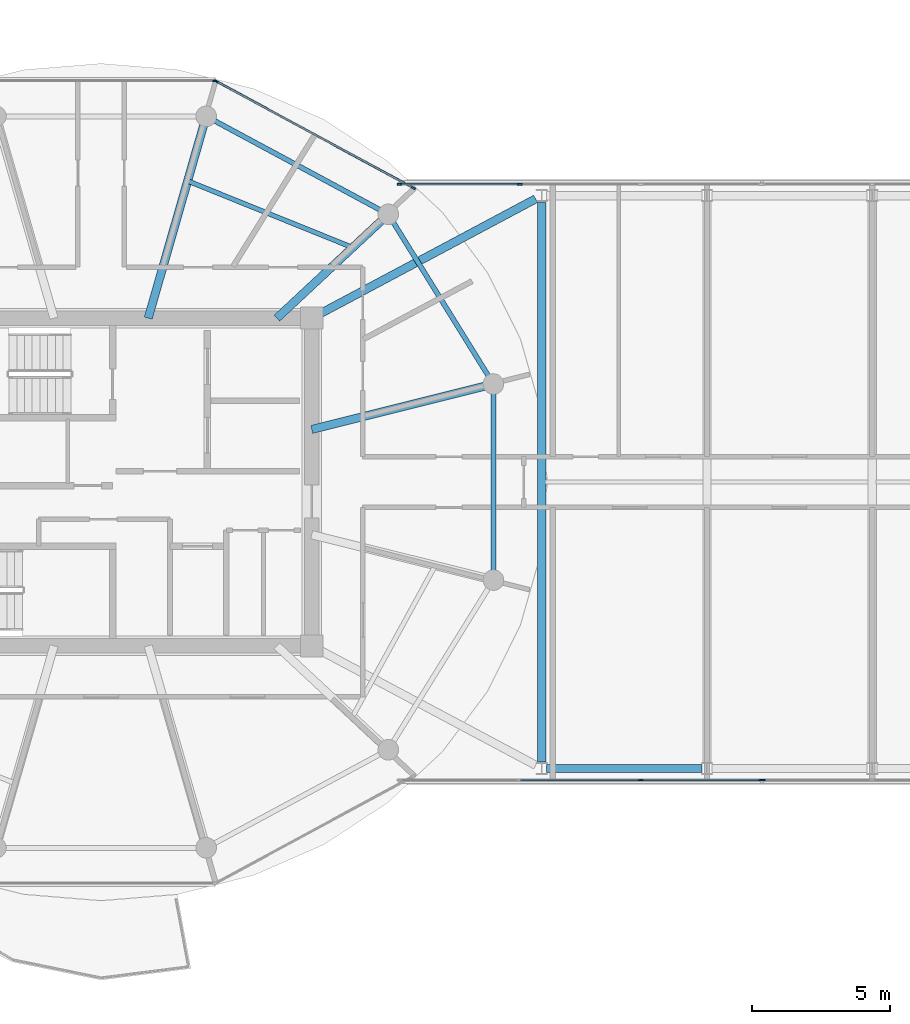
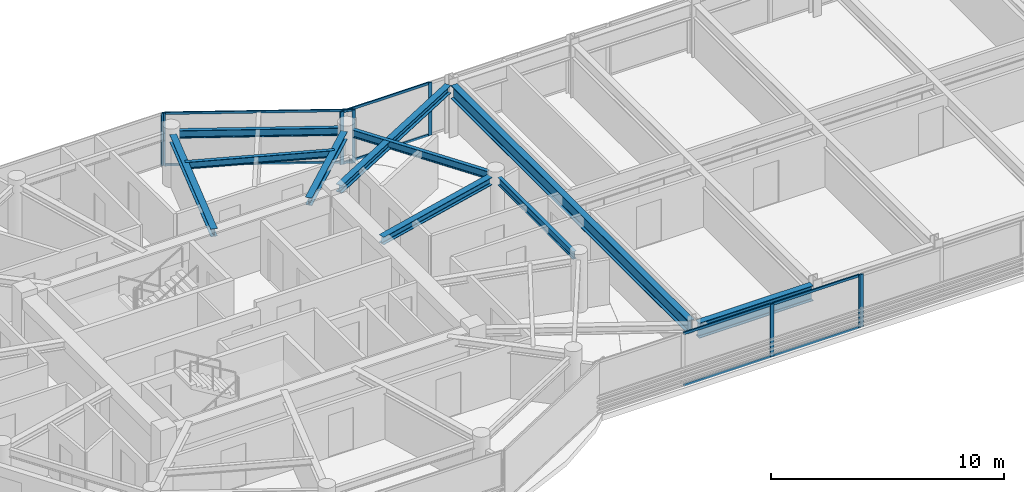
# One storey, part 5 of 23: 16 members, 10 beams, 5 elements without a shape of their own.
"""IFC4 building model written with IfcOpenShell, lengths in metres."""

from ifc_helpers import new_model, si_unit, direction, frame, origin, origin_2d, place, context, subcontext, project, spatial, rectangle, i_section, extrude, source, transform, mapped, material, layer, layer_set, material_profile, profile_set, type_object, type_shapes, element, aggregate, save


model = new_model("IFC4")

# Units and contexts
model_context = context("Model", 3, precision=1e-05, world=origin(), true_north=direction((0.0, 1.0)))
body_context = subcontext(model_context, "Body", "Model", "MODEL_VIEW")
ifc_project = project(units=[si_unit("LENGTHUNIT", "METRE"), si_unit("AREAUNIT", "SQUARE_METRE"), si_unit("VOLUMEUNIT", "CUBIC_METRE"), si_unit("PLANEANGLEUNIT", "RADIAN"), si_unit("MASSUNIT", "GRAM", prefix="KILO")], contexts=[model_context])

# Site, building, storey
site_placement = place(None, origin())
site = spatial("IfcSite", under=ifc_project, at=site_placement, CompositionType="ELEMENT")
building_placement = place(site_placement, origin())
building = spatial("IfcBuilding", under=site, at=building_placement, Name="Norrkilde Senior Care Towers", CompositionType="ELEMENT")
storey_placement = place(building_placement, frame((0.0, 0.0, 220.0)))
storey = spatial("IfcBuildingStorey", under=building, at=storey_placement, Name="L68", CompositionType="ELEMENT", Elevation=220.0)

# Beams
ifc_material_1 = material(Name="Steel S355", Category="steel")
ifc_material_profile_1 = material_profile(ifc_material_1, i_section(OverallWidth=0.179931640625, OverallDepth=0.39990234375, WebThickness=0.008544921875, FlangeThickness=0.013427734375, FilletRadius=0.02099609375, at=origin_2d()), Name="IPE 400")
ifc_profile_set_1 = profile_set([ifc_material_profile_1], Name="Steel S355")
beam_type_1 = type_object("IfcBeamType", Name="Perimeter Ring Spandrel Z4 IPE400", PredefinedType="SPANDREL", material=ifc_profile_set_1)
shared_shape_1 = source(origin(), body_context, "Body", "SweptSolid", [
    extrude(i_section(OverallWidth=0.179931640625, OverallDepth=0.39990234375, WebThickness=0.008544921875, FlangeThickness=0.013427734375, FilletRadius=0.02099609375, at=origin_2d()), origin(), (0.0, 0.0, 1.0), 6.58056640625),
])
beam_1_placement = place(storey_placement, frame((-13.928955078125, 3.843505859375, 2.56005859375), z_axis=(-0.526529583789, 0.850156807533, 0.0), x_axis=(-0.850156807533, -0.526529583789, 0.0)))
element("IfcBeam", 1, at=beam_1_placement, inside=storey, type_object=beam_type_1, Name="L68 Drum W Perimeter Spandrel 01", PredefinedType="SPANDREL", context=body_context, shape_type="MappedRepresentation", body=[
    mapped(shared_shape_1, transform((0.0, 0.0, 0.0), x_axis=(1.0, 0.0, 0.0), y_axis=(0.0, 1.0, 0.0), z_axis=(0.0, 0.0, 1.0), scale=1.0)),
])
ifc_material_profile_2 = material_profile(ifc_material_1, i_section(OverallWidth=0.300048828125, OverallDepth=0.39990234375, WebThickness=0.013427734375, FlangeThickness=0.02392578125, FilletRadius=0.027099609375, at=origin_2d()), Name="HEB 400")
ifc_profile_set_2 = profile_set([ifc_material_profile_2], Name="Steel S355")
beam_type_2 = type_object("IfcBeamType", Name="Radial Floor Beam Z4 HEB400", PredefinedType="BEAM", material=ifc_profile_set_2)
shared_shape_2 = source(origin(), body_context, "Body", "SweptSolid", [
    extrude(i_section(OverallWidth=0.300048828125, OverallDepth=0.39990234375, WebThickness=0.013427734375, FlangeThickness=0.02392578125, FilletRadius=0.027099609375, at=origin_2d()), origin(), (0.0, 0.0, 1.0), 6.465087890625),
])
beam_2_placement = place(storey_placement, frame((-20.35009765625, 1.910888671875, 2.56005859375), z_axis=(0.970195788563, 0.242322371758, 0.0), x_axis=(-0.242322371758, 0.970195788563, 0.0)))
element("IfcBeam", 2, at=beam_2_placement, inside=storey, type_object=beam_type_2, Name="L68 Drum W Radial Floor Beam 01", PredefinedType="BEAM", context=body_context, shape_type="MappedRepresentation", body=[
    mapped(shared_shape_2, transform((0.0, 0.0, 0.0), x_axis=(1.0, 0.0, 0.0), y_axis=(0.0, 1.0, 0.0), z_axis=(0.0, 0.0, 1.0), scale=1.0)),
])
shared_shape_3 = source(origin(), body_context, "Body", "SweptSolid", [
    extrude(i_section(OverallWidth=0.179931640625, OverallDepth=0.39990234375, WebThickness=0.008544921875, FlangeThickness=0.013427734375, FilletRadius=0.02099609375, at=origin_2d()), origin(), (0.0, 0.0, 1.0), 6.839111328125),
])
beam_3_placement = place(storey_placement, frame((-17.865234375, 9.881591796875, 2.56005859375), z_axis=(-0.880563930732, 0.473927382511, 0.0), x_axis=(-0.473927382511, -0.880563930732, 0.0)))
element("IfcBeam", 3, at=beam_3_placement, inside=storey, type_object=beam_type_1, Name="L68 Drum W Perimeter Spandrel 02", PredefinedType="SPANDREL", context=body_context, shape_type="MappedRepresentation", body=[
    mapped(shared_shape_3, transform((0.0, 0.0, 0.0), x_axis=(1.0, 0.0, 0.0), y_axis=(0.0, 1.0, 0.0), z_axis=(0.0, 0.0, 1.0), scale=1.0)),
])
shared_shape_4 = source(origin(), body_context, "Body", "SweptSolid", [
    extrude(i_section(OverallWidth=0.300048828125, OverallDepth=0.39990234375, WebThickness=0.013427734375, FlangeThickness=0.02392578125, FilletRadius=0.027099609375, at=origin_2d()), origin(), (0.0, 0.0, 1.0), 5.197998046875),
])
beam_4_placement = place(storey_placement, frame((-21.6171875, 5.949951171875, 2.56005859375), z_axis=(0.731448749334, 0.681896419625, 0.0), x_axis=(-0.681896419625, 0.731448749334, 0.0)))
element("IfcBeam", 4, at=beam_4_placement, inside=storey, type_object=beam_type_2, Name="L68 Drum W Radial Floor Beam 02", PredefinedType="BEAM", context=body_context, shape_type="MappedRepresentation", body=[
    mapped(shared_shape_4, transform((0.0, 0.0, 0.0), x_axis=(1.0, 0.0, 0.0), y_axis=(0.0, 1.0, 0.0), z_axis=(0.0, 0.0, 1.0), scale=1.0)),
])
shared_shape_5 = source(origin(), body_context, "Body", "SweptSolid", [
    extrude(i_section(OverallWidth=0.300048828125, OverallDepth=0.39990234375, WebThickness=0.013427734375, FlangeThickness=0.02392578125, FilletRadius=0.027099609375, at=origin_2d()), origin(), (0.0, 0.0, 1.0), 7.29345703125),
])
beam_5_placement = place(storey_placement, frame((-26.289794921875, 5.949951171875, 2.56005859375), z_axis=(0.276263751906, 0.961081858836, 0.0), x_axis=(-0.961081858836, 0.276263751906, 0.0)))
element("IfcBeam", 5, at=beam_5_placement, inside=storey, type_object=beam_type_2, Name="L68 Drum W Radial Floor Beam 03", PredefinedType="BEAM", context=body_context, shape_type="MappedRepresentation", body=[
    mapped(shared_shape_5, transform((0.0, 0.0, 0.0), x_axis=(1.0, 0.0, 0.0), y_axis=(0.0, 1.0, 0.0), z_axis=(0.0, 0.0, 1.0), scale=1.0)),
])
shared_shape_6 = source(origin(), body_context, "Body", "SweptSolid", [
    extrude(i_section(OverallWidth=0.179931640625, OverallDepth=0.39990234375, WebThickness=0.008544921875, FlangeThickness=0.013427734375, FilletRadius=0.02099609375, at=origin_2d()), origin(), (0.0, 0.0, 1.0), 6.44775390625),
])
type_shapes(beam_type_1, [shared_shape_1, shared_shape_3, shared_shape_6])
beam_6_placement = place(storey_placement, frame((-13.752685546875, -3.223876953125, 2.56005859375), z_axis=(0.0, 1.0, 0.0), x_axis=(-1.0, 0.0, 0.0)))
element("IfcBeam", 6, at=beam_6_placement, inside=storey, type_object=beam_type_1, Name="L68 Drum W Perimeter Spandrel 12", PredefinedType="SPANDREL", context=body_context, shape_type="MappedRepresentation", body=[
    mapped(shared_shape_6, transform((0.0, 0.0, 0.0), x_axis=(1.0, 0.0, 0.0), y_axis=(0.0, 1.0, 0.0), z_axis=(0.0, 0.0, 1.0), scale=1.0)),
])
ifc_material_profile_3 = material_profile(ifc_material_1, i_section(OverallWidth=0.169921875, OverallDepth=0.360107421875, WebThickness=0.008056640625, FlangeThickness=0.0126953125, FilletRadius=0.01806640625, at=origin_2d()), Name="IPE 360")
ifc_profile_set_3 = profile_set([ifc_material_profile_3], Name="Steel S355")
beam_type_3 = type_object("IfcBeamType", Name="Secondary Floor Joist IPE360", PredefinedType="JOIST", material=ifc_profile_set_3)
shared_shape_7 = source(origin(), body_context, "Body", "SweptSolid", [
    extrude(i_section(OverallWidth=0.169921875, OverallDepth=0.360107421875, WebThickness=0.008056640625, FlangeThickness=0.0126953125, FilletRadius=0.01806640625, at=origin_2d()), origin(), (0.0, 0.0, 1.0), 6.461669921875),
])
type_shapes(beam_type_3, [shared_shape_7])
beam_7_placement = place(storey_placement, frame((-18.865234375, 8.515380859375, 2.580078125), z_axis=(-0.927225942298, 0.374502405772, 0.0), x_axis=(-0.374502405772, -0.927225942298, 0.0)))
element("IfcBeam", 7, at=beam_7_placement, inside=storey, type_object=beam_type_3, Name="L68 Drum W Secondary Floor Joist 1", PredefinedType="JOIST", context=body_context, shape_type="MappedRepresentation", body=[
    mapped(shared_shape_7, transform((0.0, 0.0, 0.0), x_axis=(1.0, 0.0, 0.0), y_axis=(0.0, 1.0, 0.0), z_axis=(0.0, 0.0, 1.0), scale=1.0)),
])
ifc_material_profile_4 = material_profile(ifc_material_1, i_section(OverallWidth=0.300048828125, OverallDepth=0.699951171875, WebThickness=0.01708984375, FlangeThickness=0.031982421875, FilletRadius=0.027099609375, at=origin_2d()), Name="HEB 700")
ifc_profile_set_4 = profile_set([ifc_material_profile_4], Name="Steel S355")
beam_type_4 = type_object("IfcBeamType", Name="Bridge Cross Girder HEB700", PredefinedType="USERDEFINED", material=ifc_profile_set_4)
shared_shape_8 = source(origin(), body_context, "Body", "SweptSolid", [
    extrude(i_section(OverallWidth=0.300048828125, OverallDepth=0.699951171875, WebThickness=0.01708984375, FlangeThickness=0.031982421875, FilletRadius=0.027099609375, at=origin_2d()), origin(), (0.0, 0.0, 1.0), 20.31982421875),
])
type_shapes(beam_type_4, [shared_shape_8])
beam_8_placement = place(storey_placement, frame((-12.0, -10.159912109375, 2.409912109375), z_axis=(0.0, 1.0, 0.0), x_axis=(-1.0, 0.0, 0.0)))
element("IfcBeam", 8, at=beam_8_placement, inside=storey, type_object=beam_type_4, Name="L68 Sky-Gate Bridge Cross Girder -12", ObjectType="GIRDER", PredefinedType="USERDEFINED", context=body_context, shape_type="MappedRepresentation", body=[
    mapped(shared_shape_8, transform((0.0, 0.0, 0.0), x_axis=(1.0, 0.0, 0.0), y_axis=(0.0, 1.0, 0.0), z_axis=(0.0, 0.0, 1.0), scale=1.0)),
])
shared_shape_9 = source(origin(), body_context, "Body", "SweptSolid", [
    extrude(i_section(OverallWidth=0.300048828125, OverallDepth=0.39990234375, WebThickness=0.013427734375, FlangeThickness=0.02392578125, FilletRadius=0.027099609375, at=origin_2d()), origin(), (0.0, 0.0, 1.0), 8.831787109375),
])
type_shapes(beam_type_2, [shared_shape_2, shared_shape_4, shared_shape_5, shared_shape_9])
beam_9_placement = place(storey_placement, frame((-20.0146484375, 6.128662109375, 2.56005859375), z_axis=(0.882492172381, 0.470327083727, 0.0), x_axis=(-0.470327083727, 0.882492172381, 0.0)))
element("IfcBeam", 9, at=beam_9_placement, inside=storey, type_object=beam_type_2, Name="L68 Sky-Gate Bridge Girder N1", PredefinedType="BEAM", context=body_context, shape_type="MappedRepresentation", body=[
    mapped(shared_shape_9, transform((0.0, 0.0, 0.0), x_axis=(1.0, 0.0, 0.0), y_axis=(0.0, 1.0, 0.0), z_axis=(0.0, 0.0, 1.0), scale=1.0)),
])
ifc_material_profile_5 = material_profile(ifc_material_1, i_section(OverallWidth=0.300048828125, OverallDepth=0.800048828125, WebThickness=0.017578125, FlangeThickness=0.032958984375, FilletRadius=0.030029296875, at=origin_2d()), Name="HEB 800")
ifc_profile_set_5 = profile_set([ifc_material_profile_5], Name="Steel S355")
beam_type_5 = type_object("IfcBeamType", Name="Bridge Floor Girder HEB800", PredefinedType="USERDEFINED", material=ifc_profile_set_5)
shared_shape_10 = source(origin(), body_context, "Body", "SweptSolid", [
    extrude(i_section(OverallWidth=0.300048828125, OverallDepth=0.800048828125, WebThickness=0.017578125, FlangeThickness=0.032958984375, FilletRadius=0.030029296875, at=origin_2d()), origin(), (0.0, 0.0, 1.0), 5.64013671875),
])
type_shapes(beam_type_5, [shared_shape_10])
beam_10_placement = place(storey_placement, frame((-11.820068359375, -10.39990234375, 2.360107421875), z_axis=(1.0, 0.0, 0.0), x_axis=(0.0, 1.0, 0.0)))
element("IfcBeam", 10, at=beam_10_placement, inside=storey, type_object=beam_type_5, Name="L68 Sky-Gate Bridge Girder S2", ObjectType="GIRDER", PredefinedType="USERDEFINED", context=body_context, shape_type="MappedRepresentation", body=[
    mapped(shared_shape_10, transform((0.0, 0.0, 0.0), x_axis=(1.0, 0.0, 0.0), y_axis=(0.0, 1.0, 0.0), z_axis=(0.0, 0.0, 1.0), scale=1.0)),
])

# Curtain wall, members
ifc_material_2 = material(Name="Triple Low-E Insulated Glazing", Category="glass")
ifc_layer_1 = layer(ifc_material_2, 0.18505859375)
ifc_layer_set_1 = layer_set([ifc_layer_1], Name="Triple Low-E Insulated Glazing")
curtain_wall_type_1 = type_object("IfcCurtainWallType", Name="CW6 Zone 4 Crown Pavilion Curtain Wall", PredefinedType="NOTDEFINED", material=ifc_layer_set_1)
curtain_wall_1_placement = place(storey_placement, origin())
curtain_wall_1 = element("IfcCurtainWall", 11, at=curtain_wall_1_placement, inside=storey, type_object=curtain_wall_type_1, Name="L68 Drum W Curtain Wall 01", PredefinedType="NOTDEFINED")
ifc_material_3 = material(Name="Anodised Aluminium", Category="aluminium")
ifc_material_profile_6 = material_profile(ifc_material_3, rectangle(XDim=0.06005859375, YDim=0.1201171875, at=origin_2d()), Name="ALU TRAN 60x120")
ifc_profile_set_6 = profile_set([ifc_material_profile_6], Name="Anodised Aluminium")
member_type_1 = type_object("IfcMemberType", Name="Curtain Wall Transom Typical 60x120", PredefinedType="USERDEFINED", material=ifc_profile_set_6)
shared_shape_11 = source(origin(), body_context, "Body", "SweptSolid", [
    extrude(rectangle(XDim=0.06005859375, YDim=0.1201171875, at=origin_2d()), origin(), (0.0, 0.0, 1.0), 8.0673828125),
])
type_shapes(member_type_1, [shared_shape_11])
member_1_placement = place(storey_placement, frame((-23.781005859375, 14.53515625, 0.030029296875), z_axis=(0.87937750072, -0.476125205411, 0.0), x_axis=(0.476125205411, 0.87937750072, 0.0)))
member_1 = element("IfcMember", 12, at=member_1_placement, type_object=member_type_1, Name="CW-6 transom 1.1", ObjectType="TRANSOM", PredefinedType="USERDEFINED", context=body_context, shape_type="MappedRepresentation", body=[
    mapped(shared_shape_11, transform((0.0, 0.0, 0.0), x_axis=(1.0, 0.0, 0.0), y_axis=(0.0, 1.0, 0.0), z_axis=(0.0, 0.0, 1.0), scale=1.0)),
])
member_2_placement = place(storey_placement, frame((-23.781005859375, 14.53515625, 2.72998046875), z_axis=(0.87937750072, -0.476125205411, 0.0), x_axis=(0.476125205411, 0.87937750072, 0.0)))
member_2 = element("IfcMember", 13, at=member_2_placement, type_object=member_type_1, Name="CW-6 transom 1.2", ObjectType="TRANSOM", PredefinedType="USERDEFINED", context=body_context, shape_type="MappedRepresentation", body=[
    mapped(shared_shape_11, transform((0.0, 0.0, 0.0), x_axis=(1.0, 0.0, 0.0), y_axis=(0.0, 1.0, 0.0), z_axis=(0.0, 0.0, 1.0), scale=1.0)),
])
ifc_material_profile_7 = material_profile(ifc_material_3, rectangle(XDim=0.06494140625, YDim=0.14990234375, at=origin_2d()), Name="ALU MULL 65x150")
ifc_profile_set_7 = profile_set([ifc_material_profile_7], Name="Anodised Aluminium")
member_type_2 = type_object("IfcMemberType", Name="Curtain Wall Mullion Z3-Z4 65x150", PredefinedType="MULLION", material=ifc_profile_set_7)
shared_shape_12 = source(origin(), body_context, "Body", "SweptSolid", [
    extrude(rectangle(XDim=0.06494140625, YDim=0.14990234375, at=origin_2d()), origin(), (0.0, 0.0, 1.0), 2.760009765625),
])
type_shapes(member_type_2, [shared_shape_12])
member_3_placement = place(storey_placement, frame((-23.8095703125, 14.55078125, 0.0), z_axis=(0.0, 0.0, 1.0), x_axis=(0.476132676136, 0.879373455772, 0.0)))
member_3 = element("IfcMember", 14, at=member_3_placement, type_object=member_type_2, Name="CW-6 mullion 1", PredefinedType="MULLION", context=body_context, shape_type="MappedRepresentation", body=[
    mapped(shared_shape_12, transform((0.0, 0.0, 0.0), x_axis=(1.0, 0.0, 0.0), y_axis=(0.0, 1.0, 0.0), z_axis=(0.0, 0.0, 1.0), scale=1.0)),
])
member_4_placement = place(storey_placement, frame((-16.658203125, 10.6787109375, 0.0), z_axis=(0.0, 0.0, 1.0), x_axis=(0.476132676136, 0.879373455772, 0.0)))
member_4 = element("IfcMember", 15, at=member_4_placement, type_object=member_type_2, Name="CW-6 mullion 2", PredefinedType="MULLION", context=body_context, shape_type="MappedRepresentation", body=[
    mapped(shared_shape_12, transform((0.0, 0.0, 0.0), x_axis=(1.0, 0.0, 0.0), y_axis=(0.0, 1.0, 0.0), z_axis=(0.0, 0.0, 1.0), scale=1.0)),
])
aggregate(curtain_wall_1, [member_3, member_4, member_1, member_2])

# Curtain wall, member
curtain_wall_2_placement = place(storey_placement, origin())
curtain_wall_2 = element("IfcCurtainWall", 16, at=curtain_wall_2_placement, inside=storey, type_object=curtain_wall_type_1, Name="L68 Drum W Curtain Wall 02", PredefinedType="NOTDEFINED")
member_5_placement = place(storey_placement, frame((-23.87060546875, 14.566162109375, 0.0), z_axis=(0.0, 0.0, 1.0), x_axis=(0.0, 1.0, 0.0)))
member_5 = element("IfcMember", 17, at=member_5_placement, type_object=member_type_2, Name="CW-6 mullion 2", PredefinedType="MULLION", context=body_context, shape_type="MappedRepresentation", body=[
    mapped(shared_shape_12, transform((0.0, 0.0, 0.0), x_axis=(1.0, 0.0, 0.0), y_axis=(0.0, 1.0, 0.0), z_axis=(0.0, 0.0, 1.0), scale=1.0)),
])
aggregate(curtain_wall_2, [member_5])

# Curtain wall, members
ifc_layer_2 = layer(ifc_material_2, 0.2099609375)
ifc_layer_set_2 = layer_set([ifc_layer_2], Name="Triple Low-E Insulated Glazing")
curtain_wall_type_2 = type_object("IfcCurtainWallType", Name="CW5 Sky-Gate Bridge Curtain Wall", PredefinedType="NOTDEFINED", material=ifc_layer_set_2)
curtain_wall_3_placement = place(storey_placement, origin())
curtain_wall_3 = element("IfcCurtainWall", 18, at=curtain_wall_3_placement, inside=storey, type_object=curtain_wall_type_2, Name="L68 Sky-Gate Bridge North Curtain Wall 1", PredefinedType="NOTDEFINED")
ifc_material_profile_8 = material_profile(ifc_material_3, rectangle(XDim=0.06494140625, YDim=0.1298828125, at=origin_2d()), Name="ALU TRAN 65x130")
ifc_profile_set_8 = profile_set([ifc_material_profile_8], Name="Anodised Aluminium")
member_type_3 = type_object("IfcMemberType", Name="Curtain Wall Transom Heavy 65x130", PredefinedType="USERDEFINED", material=ifc_profile_set_8)
shared_shape_13 = source(origin(), body_context, "Body", "SweptSolid", [
    extrude(rectangle(XDim=0.06494140625, YDim=0.1298828125, at=origin_2d()), origin(), (0.0, 0.0, 1.0), 4.294921875),
])
member_6_placement = place(storey_placement, frame((-17.1298828125, 10.820068359375, 0.032470703125), z_axis=(1.0, 0.0, 0.0), x_axis=(0.0, 1.0, 0.0)))
member_6 = element("IfcMember", 19, at=member_6_placement, type_object=member_type_3, Name="CW-5 transom 1.1", ObjectType="TRANSOM", PredefinedType="USERDEFINED", context=body_context, shape_type="MappedRepresentation", body=[
    mapped(shared_shape_13, transform((0.0, 0.0, 0.0), x_axis=(1.0, 0.0, 0.0), y_axis=(0.0, 1.0, 0.0), z_axis=(0.0, 0.0, 1.0), scale=1.0)),
])
member_7_placement = place(storey_placement, frame((-17.1298828125, 10.820068359375, 2.7275390625), z_axis=(1.0, 0.0, 0.0), x_axis=(0.0, 1.0, 0.0)))
member_7 = element("IfcMember", 20, at=member_7_placement, type_object=member_type_3, Name="CW-5 transom 1.2", ObjectType="TRANSOM", PredefinedType="USERDEFINED", context=body_context, shape_type="MappedRepresentation", body=[
    mapped(shared_shape_13, transform((0.0, 0.0, 0.0), x_axis=(1.0, 0.0, 0.0), y_axis=(0.0, 1.0, 0.0), z_axis=(0.0, 0.0, 1.0), scale=1.0)),
])

curtain_wall_4_placement = place(storey_placement, origin())
curtain_wall_4 = element("IfcCurtainWall", 21, at=curtain_wall_4_placement, inside=storey, type_object=curtain_wall_type_2, Name="L68 Sky-Gate Bridge South Curtain Wall 3", PredefinedType="NOTDEFINED")
member_8_placement = place(storey_placement, frame((-4.070068359375, -10.820068359375, 0.032470703125), z_axis=(-1.0, 0.0, 0.0), x_axis=(0.0, -1.0, 0.0)))
member_8 = element("IfcMember", 22, at=member_8_placement, type_object=member_type_3, Name="CW-5 transom 1.1", ObjectType="TRANSOM", PredefinedType="USERDEFINED", context=body_context, shape_type="MappedRepresentation", body=[
    mapped(shared_shape_13, transform((0.0, 0.0, 0.0), x_axis=(1.0, 0.0, 0.0), y_axis=(0.0, 1.0, 0.0), z_axis=(0.0, 0.0, 1.0), scale=1.0)),
])
member_9_placement = place(storey_placement, frame((-4.070068359375, -10.820068359375, 2.7275390625), z_axis=(-1.0, 0.0, 0.0), x_axis=(0.0, -1.0, 0.0)))
member_9 = element("IfcMember", 23, at=member_9_placement, type_object=member_type_3, Name="CW-5 transom 1.2", ObjectType="TRANSOM", PredefinedType="USERDEFINED", context=body_context, shape_type="MappedRepresentation", body=[
    mapped(shared_shape_13, transform((0.0, 0.0, 0.0), x_axis=(1.0, 0.0, 0.0), y_axis=(0.0, 1.0, 0.0), z_axis=(0.0, 0.0, 1.0), scale=1.0)),
])
shared_shape_14 = source(origin(), body_context, "Body", "SweptSolid", [
    extrude(rectangle(XDim=0.06494140625, YDim=0.1298828125, at=origin_2d()), origin(), (0.0, 0.0, 1.0), 4.329833984375),
])
type_shapes(member_type_3, [shared_shape_13, shared_shape_14])
member_10_placement = place(storey_placement, frame((-8.43505859375, -10.820068359375, 0.032470703125), z_axis=(-1.0, 0.0, 0.0), x_axis=(0.0, -1.0, 0.0)))
member_10 = element("IfcMember", 24, at=member_10_placement, type_object=member_type_3, Name="CW-5 transom 2.1", ObjectType="TRANSOM", PredefinedType="USERDEFINED", context=body_context, shape_type="MappedRepresentation", body=[
    mapped(shared_shape_14, transform((0.0, 0.0, 0.0), x_axis=(1.0, 0.0, 0.0), y_axis=(0.0, 1.0, 0.0), z_axis=(0.0, 0.0, 1.0), scale=1.0)),
])
member_11_placement = place(storey_placement, frame((-8.43505859375, -10.820068359375, 2.7275390625), z_axis=(-1.0, 0.0, 0.0), x_axis=(0.0, -1.0, 0.0)))
member_11 = element("IfcMember", 25, at=member_11_placement, type_object=member_type_3, Name="CW-5 transom 2.2", ObjectType="TRANSOM", PredefinedType="USERDEFINED", context=body_context, shape_type="MappedRepresentation", body=[
    mapped(shared_shape_14, transform((0.0, 0.0, 0.0), x_axis=(1.0, 0.0, 0.0), y_axis=(0.0, 1.0, 0.0), z_axis=(0.0, 0.0, 1.0), scale=1.0)),
])

# Member
ifc_material_profile_9 = material_profile(ifc_material_3, rectangle(XDim=0.070068359375, YDim=0.169921875, at=origin_2d()), Name="ALU MULL 70x170")
ifc_profile_set_9 = profile_set([ifc_material_profile_9], Name="Anodised Aluminium")
member_type_4 = type_object("IfcMemberType", Name="Curtain Wall Mullion Heavy 70x170", PredefinedType="MULLION", material=ifc_profile_set_9)
shared_shape_15 = source(origin(), body_context, "Body", "SweptSolid", [
    extrude(rectangle(XDim=0.070068359375, YDim=0.169921875, at=origin_2d()), origin(), (0.0, 0.0, 1.0), 2.760009765625),
])
type_shapes(member_type_4, [shared_shape_15])
member_12_placement = place(storey_placement, frame((-17.1650390625, 10.820068359375, 0.0), z_axis=(0.0, 0.0, 1.0), x_axis=(0.0, 1.0, 0.0)))
member_12 = element("IfcMember", 26, at=member_12_placement, type_object=member_type_4, Name="CW-5 mullion 1", PredefinedType="MULLION", context=body_context, shape_type="MappedRepresentation", body=[
    mapped(shared_shape_15, transform((0.0, 0.0, 0.0), x_axis=(1.0, 0.0, 0.0), y_axis=(0.0, 1.0, 0.0), z_axis=(0.0, 0.0, 1.0), scale=1.0)),
])

member_13_placement = place(storey_placement, frame((-12.800048828125, 10.820068359375, 0.0), z_axis=(0.0, 0.0, 1.0), x_axis=(0.0, 1.0, 0.0)))
member_13 = element("IfcMember", 27, at=member_13_placement, type_object=member_type_4, Name="CW-5 mullion 2", PredefinedType="MULLION", context=body_context, shape_type="MappedRepresentation", body=[
    mapped(shared_shape_15, transform((0.0, 0.0, 0.0), x_axis=(1.0, 0.0, 0.0), y_axis=(0.0, 1.0, 0.0), z_axis=(0.0, 0.0, 1.0), scale=1.0)),
])

aggregate(curtain_wall_3, [member_12, member_13, member_6, member_7])

# Curtain wall, member
curtain_wall_5_placement = place(storey_placement, origin())
curtain_wall_5 = element("IfcCurtainWall", 28, at=curtain_wall_5_placement, inside=storey, type_object=curtain_wall_type_2, Name="L68 Sky-Gate Bridge South Curtain Wall 2", PredefinedType="NOTDEFINED")
member_14_placement = place(storey_placement, frame((-3.965087890625, -10.820068359375, 0.0), z_axis=(0.0, 0.0, 1.0), x_axis=(0.0, -1.0, 0.0)))
member_14 = element("IfcMember", 29, at=member_14_placement, type_object=member_type_4, Name="CW-5 mullion 3", PredefinedType="MULLION", context=body_context, shape_type="MappedRepresentation", body=[
    mapped(shared_shape_15, transform((0.0, 0.0, 0.0), x_axis=(1.0, 0.0, 0.0), y_axis=(0.0, 1.0, 0.0), z_axis=(0.0, 0.0, 1.0), scale=1.0)),
])
aggregate(curtain_wall_5, [member_14])

# Member
member_15_placement = place(storey_placement, frame((-4.034912109375, -10.820068359375, 0.0), z_axis=(0.0, 0.0, 1.0), x_axis=(0.0, -1.0, 0.0)))
member_15 = element("IfcMember", 30, at=member_15_placement, type_object=member_type_4, Name="CW-5 mullion 1", PredefinedType="MULLION", context=body_context, shape_type="MappedRepresentation", body=[
    mapped(shared_shape_15, transform((0.0, 0.0, 0.0), x_axis=(1.0, 0.0, 0.0), y_axis=(0.0, 1.0, 0.0), z_axis=(0.0, 0.0, 1.0), scale=1.0)),
])

member_16_placement = place(storey_placement, frame((-8.39990234375, -10.820068359375, 0.0), z_axis=(0.0, 0.0, 1.0), x_axis=(0.0, -1.0, 0.0)))
member_16 = element("IfcMember", 31, at=member_16_placement, type_object=member_type_4, Name="CW-5 mullion 2", PredefinedType="MULLION", context=body_context, shape_type="MappedRepresentation", body=[
    mapped(shared_shape_15, transform((0.0, 0.0, 0.0), x_axis=(1.0, 0.0, 0.0), y_axis=(0.0, 1.0, 0.0), z_axis=(0.0, 0.0, 1.0), scale=1.0)),
])

aggregate(curtain_wall_4, [member_15, member_16, member_8, member_9, member_10, member_11])

save(model, "model.ifc")
